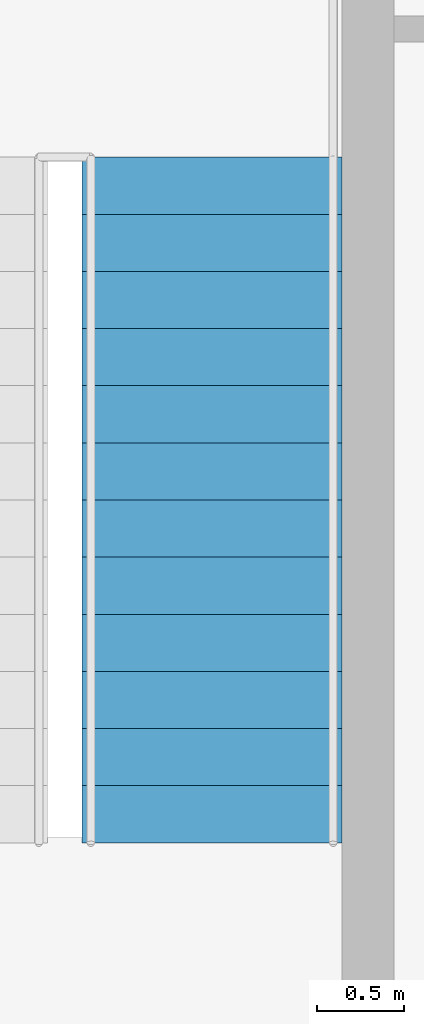
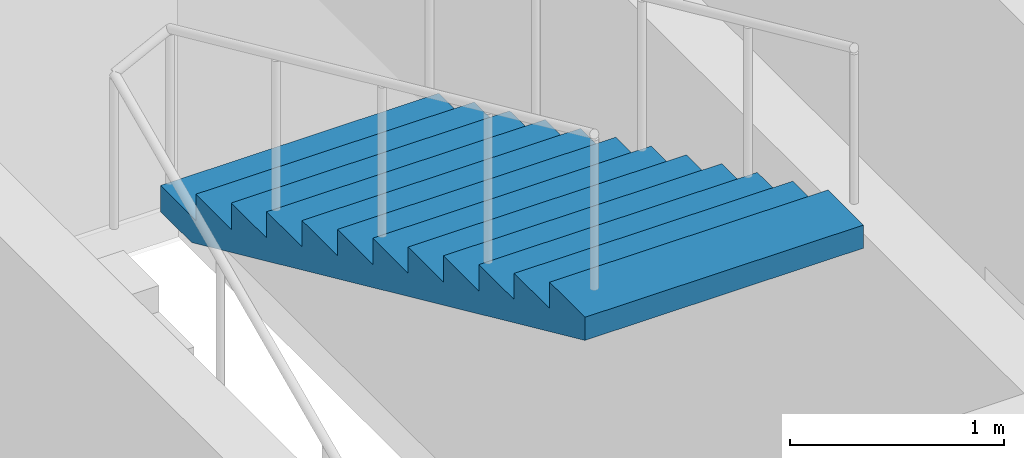
# One storey, part 10 of 11: 1 stair flight, 1 element without a shape of its own.
"""IFC4 building model written with IfcOpenShell, lengths in metres."""

from ifc_helpers import new_model, si_unit, direction, frame, origin, place, context, subcontext, project, spatial, polygons, material, type_object, element, aggregate, save


model = new_model("IFC4")

# Units and contexts
model_context = context("Model", 3, precision=1e-05, world=origin(), true_north=direction((0.0, 1.0)))
body_context = subcontext(model_context, "Body", "Model", "MODEL_VIEW")
ifc_project = project(units=[si_unit("LENGTHUNIT", "METRE"), si_unit("AREAUNIT", "SQUARE_METRE"), si_unit("VOLUMEUNIT", "CUBIC_METRE"), si_unit("PLANEANGLEUNIT", "RADIAN"), si_unit("MASSUNIT", "GRAM", prefix="KILO")], contexts=[model_context])

# Site, building, storey
site_placement = place(None, origin())
site = spatial("IfcSite", under=ifc_project, at=site_placement, CompositionType="ELEMENT")
building_placement = place(site_placement, origin())
building = spatial("IfcBuilding", under=site, at=building_placement, Name="Njiva Tower", CompositionType="ELEMENT")
storey_placement = place(building_placement, frame((0.0, 0.0, 163.2)))
storey = spatial("IfcBuildingStorey", under=building, at=storey_placement, Name="L35", CompositionType="ELEMENT", Elevation=163.2)

# Stair, stair flight
ifc_material = material(Name="Concrete C40/50", Category="concrete")
stair_type = type_object("IfcStairType", Name="ST4 Exit stair 1500", PredefinedType="HALF_TURN_STAIR", material=ifc_material)
stair_placement = place(storey_placement, origin())
stair = element("IfcStair", 1, at=stair_placement, inside=storey, type_object=stair_type, Name="Stair B", PredefinedType="HALF_TURN_STAIR")
stair_flight_type = type_object("IfcStairFlightType", Name="FL4 Stair flight 1500", PredefinedType="STRAIGHT", material=ifc_material)
stair_flight_placement = place(storey_placement, frame((13.45, 15.06, 1.95), z_axis=(0.0, 0.0, 1.0), x_axis=(0.0, -1.0, 0.0)))
stair_flight = element("IfcStairFlight", 2, at=stair_flight_placement, type_object=stair_flight_type, Name="ST-B flight 2", NumberOfRisers=13, NumberOfTreads=12, PredefinedType="STRAIGHT", RiserHeight=0.15, TreadLength=0.33, context=body_context, shape_type="Tessellation", body=[
    polygons([(0.0, 0.75, 0.0), (0.0, 0.375, 0.0), (0.0, 0.0, 0.0), (0.0, -0.375, 0.0), (0.0, -0.75, 0.0), (0.0, 0.75, 0.15), (0.0, 0.375, 0.15), (0.0, 0.0, 0.15), (0.0, -0.375, 0.15), (0.0, -0.75, 0.15), (0.33, 0.75, 0.15), (0.33, 0.375, 0.15), (0.33, 0.0, 0.15), (0.33, -0.375, 0.15), (0.33, -0.75, 0.15), (0.33, 0.75, 0.3), (0.33, 0.375, 0.3), (0.33, 0.0, 0.3), (0.33, -0.375, 0.3), (0.33, -0.75, 0.3), (0.66, 0.75, 0.3), (0.66, 0.375, 0.3), (0.66, 0.0, 0.3), (0.66, -0.375, 0.3), (0.66, -0.75, 0.3), (0.66, 0.75, 0.45), (0.66, 0.375, 0.45), (0.66, 0.0, 0.45), (0.66, -0.375, 0.45), (0.66, -0.75, 0.45), (0.99, 0.75, 0.45), (0.99, 0.375, 0.45), (0.99, 0.0, 0.45), (0.99, -0.375, 0.45), (0.99, -0.75, 0.45), (0.99, 0.75, 0.6), (0.99, 0.375, 0.6), (0.99, 0.0, 0.6), (0.99, -0.375, 0.6), (0.99, -0.75, 0.6), (1.32, 0.75, 0.6), (1.32, 0.375, 0.6), (1.32, 0.0, 0.6), (1.32, -0.375, 0.6), (1.32, -0.75, 0.6), (1.32, 0.75, 0.75), (1.32, 0.375, 0.75), (1.32, 0.0, 0.75), (1.32, -0.375, 0.75), (1.32, -0.75, 0.75), (1.65, 0.75, 0.75), (1.65, 0.375, 0.75), (1.65, 0.0, 0.75), (1.65, -0.375, 0.75), (1.65, -0.75, 0.75), (1.65, 0.75, 0.9), (1.65, 0.375, 0.9), (1.65, 0.0, 0.9), (1.65, -0.375, 0.9), (1.65, -0.75, 0.9), (1.98, 0.75, 0.9), (1.98, 0.375, 0.9), (1.98, 0.0, 0.9), (1.98, -0.375, 0.9), (1.98, -0.75, 0.9), (1.98, 0.75, 1.05), (1.98, 0.375, 1.05), (1.98, 0.0, 1.05), (1.98, -0.375, 1.05), (1.98, -0.75, 1.05), (2.31, 0.75, 1.05), (2.31, 0.375, 1.05), (2.31, 0.0, 1.05), (2.31, -0.375, 1.05), (2.31, -0.75, 1.05), (2.31, 0.75, 1.2), (2.31, 0.375, 1.2), (2.31, 0.0, 1.2), (2.31, -0.375, 1.2), (2.31, -0.75, 1.2), (2.64, 0.75, 1.2), (2.64, 0.375, 1.2), (2.64, 0.0, 1.2), (2.64, -0.375, 1.2), (2.64, -0.75, 1.2), (2.64, 0.75, 1.35), (2.64, 0.375, 1.35), (2.64, 0.0, 1.35), (2.64, -0.375, 1.35), (2.64, -0.75, 1.35), (2.97, 0.75, 1.35), (2.97, 0.375, 1.35), (2.97, 0.0, 1.35), (2.97, -0.375, 1.35), (2.97, -0.75, 1.35), (2.97, 0.75, 1.5), (2.97, 0.375, 1.5), (2.97, 0.0, 1.5), (2.97, -0.375, 1.5), (2.97, -0.75, 1.5), (3.3, 0.75, 1.5), (3.3, 0.375, 1.5), (3.3, 0.0, 1.5), (3.3, -0.375, 1.5), (3.3, -0.75, 1.5), (3.3, 0.75, 1.65), (3.3, 0.375, 1.65), (3.3, 0.0, 1.65), (3.3, -0.375, 1.65), (3.3, -0.75, 1.65), (3.63, 0.75, 1.65), (3.63, 0.375, 1.65), (3.63, 0.0, 1.65), (3.63, -0.375, 1.65), (3.63, -0.75, 1.65), (3.63, 0.75, 1.8), (3.63, 0.375, 1.8), (3.63, 0.0, 1.8), (3.63, -0.375, 1.8), (3.63, -0.75, 1.8), (3.96, 0.75, 1.8), (3.96, 0.375, 1.8), (3.96, 0.0, 1.8), (3.96, -0.375, 1.8), (3.96, -0.75, 1.8), (3.96, 0.75, 1.6682), (3.96, 0.375, 1.6682), (3.96, 0.0, 1.6682), (3.96, -0.375, 1.6682), (3.96, -0.75, 1.6682), (0.29, 0.75, 0.0), (0.29, 0.375, 0.0), (0.29, 0.0, 0.0), (0.29, -0.375, 0.0), (0.29, -0.75, 0.0)], [[[1, 6, 11, 16, 21, 26, 31, 36, 41, 46, 51, 56, 61, 66, 71, 76, 81, 86, 91, 96, 101, 106, 111, 116, 121, 126, 131]], [[135, 130, 125, 120, 115, 110, 105, 100, 95, 90, 85, 80, 75, 70, 65, 60, 55, 50, 45, 40, 35, 30, 25, 20, 15, 10, 5]], [[6, 1, 2, 7]], [[7, 2, 3, 8]], [[8, 3, 4, 9]], [[9, 4, 5, 10]], [[11, 6, 7, 12]], [[12, 7, 8, 13]], [[13, 8, 9, 14]], [[14, 9, 10, 15]], [[16, 11, 12, 17]], [[17, 12, 13, 18]], [[18, 13, 14, 19]], [[19, 14, 15, 20]], [[21, 16, 17, 22]], [[22, 17, 18, 23]], [[23, 18, 19, 24]], [[24, 19, 20, 25]], [[26, 21, 22, 27]], [[27, 22, 23, 28]], [[28, 23, 24, 29]], [[29, 24, 25, 30]], [[31, 26, 27, 32]], [[32, 27, 28, 33]], [[33, 28, 29, 34]], [[34, 29, 30, 35]], [[36, 31, 32, 37]], [[37, 32, 33, 38]], [[38, 33, 34, 39]], [[39, 34, 35, 40]], [[41, 36, 37, 42]], [[42, 37, 38, 43]], [[43, 38, 39, 44]], [[44, 39, 40, 45]], [[46, 41, 42, 47]], [[47, 42, 43, 48]], [[48, 43, 44, 49]], [[49, 44, 45, 50]], [[51, 46, 47, 52]], [[52, 47, 48, 53]], [[53, 48, 49, 54]], [[54, 49, 50, 55]], [[56, 51, 52, 57]], [[57, 52, 53, 58]], [[58, 53, 54, 59]], [[59, 54, 55, 60]], [[61, 56, 57, 62]], [[62, 57, 58, 63]], [[63, 58, 59, 64]], [[64, 59, 60, 65]], [[66, 61, 62, 67]], [[67, 62, 63, 68]], [[68, 63, 64, 69]], [[69, 64, 65, 70]], [[71, 66, 67, 72]], [[72, 67, 68, 73]], [[73, 68, 69, 74]], [[74, 69, 70, 75]], [[76, 71, 72, 77]], [[77, 72, 73, 78]], [[78, 73, 74, 79]], [[79, 74, 75, 80]], [[81, 76, 77, 82]], [[82, 77, 78, 83]], [[83, 78, 79, 84]], [[84, 79, 80, 85]], [[86, 81, 82, 87]], [[87, 82, 83, 88]], [[88, 83, 84, 89]], [[89, 84, 85, 90]], [[91, 86, 87, 92]], [[92, 87, 88, 93]], [[93, 88, 89, 94]], [[94, 89, 90, 95]], [[96, 91, 92, 97]], [[97, 92, 93, 98]], [[98, 93, 94, 99]], [[99, 94, 95, 100]], [[101, 96, 97, 102]], [[102, 97, 98, 103]], [[103, 98, 99, 104]], [[104, 99, 100, 105]], [[106, 101, 102, 107]], [[107, 102, 103, 108]], [[108, 103, 104, 109]], [[109, 104, 105, 110]], [[111, 106, 107, 112]], [[112, 107, 108, 113]], [[113, 108, 109, 114]], [[114, 109, 110, 115]], [[116, 111, 112, 117]], [[117, 112, 113, 118]], [[118, 113, 114, 119]], [[119, 114, 115, 120]], [[121, 116, 117, 122]], [[122, 117, 118, 123]], [[123, 118, 119, 124]], [[124, 119, 120, 125]], [[126, 121, 122, 127]], [[127, 122, 123, 128]], [[128, 123, 124, 129]], [[129, 124, 125, 130]], [[131, 126, 127, 132]], [[132, 127, 128, 133]], [[133, 128, 129, 134]], [[134, 129, 130, 135]], [[1, 131, 132, 2]], [[2, 132, 133, 3]], [[3, 133, 134, 4]], [[4, 134, 135, 5]]], closed=True),
])
aggregate(stair, [stair_flight])

save(model, "model.ifc")
